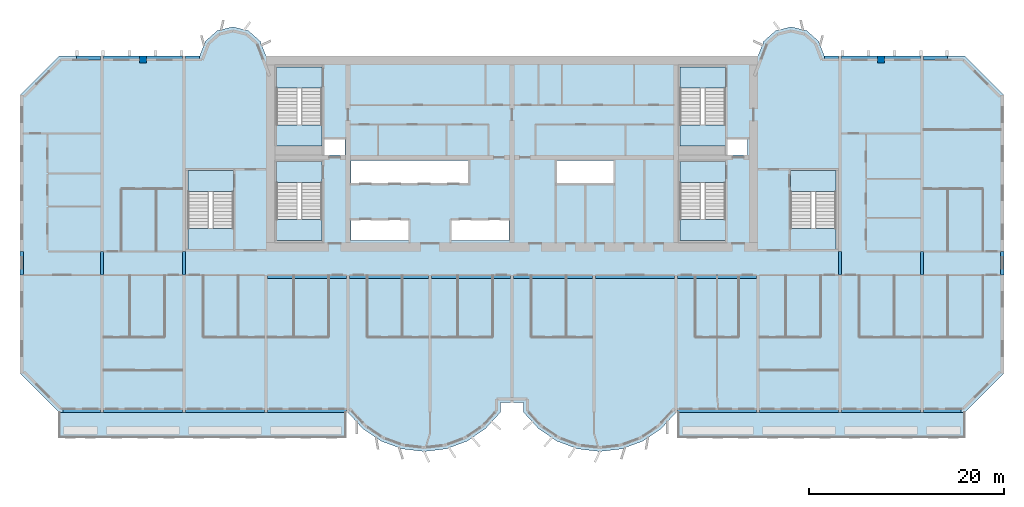
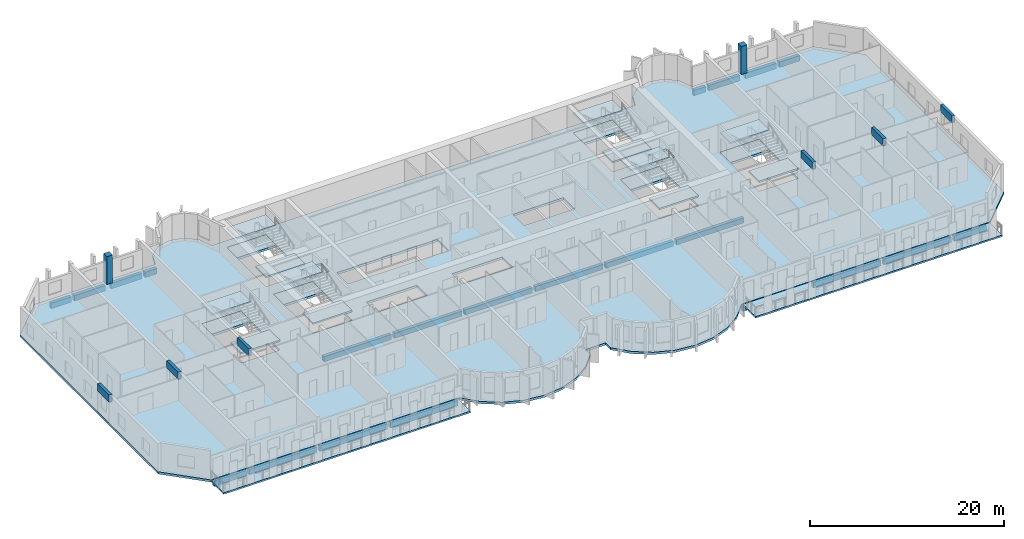
# One storey, part 1 of 14: 28 beams, 21 slabs, 2 columns, 6 elements without a shape of their own.
"""IFC4 building model written with IfcOpenShell, lengths in metres."""

from ifc_helpers import new_model, si_unit, direction, frame, origin, origin_2d, place, context, subcontext, project, spatial, polyline, rectangle, outline, extrude, source, transform, mapped, material, layer, layer_set, material_profile, profile_set, type_object, element, aggregate, save


model = new_model("IFC4")

# Units and contexts
model_context = context("Model", 3, precision=1e-05, world=origin(), true_north=direction((0.0, 1.0)))
body_context = subcontext(model_context, "Body", "Model", "MODEL_VIEW")
ifc_project = project(units=[si_unit("LENGTHUNIT", "METRE"), si_unit("AREAUNIT", "SQUARE_METRE"), si_unit("VOLUMEUNIT", "CUBIC_METRE"), si_unit("PLANEANGLEUNIT", "RADIAN"), si_unit("MASSUNIT", "GRAM", prefix="KILO")], contexts=[model_context])

# Site, building, storey
site_placement = place(None, origin())
site = spatial("IfcSite", under=ifc_project, at=site_placement, CompositionType="ELEMENT")
building_placement = place(site_placement, origin())
building = spatial("IfcBuilding", under=site, at=building_placement, Name="Vanashikhar Sky Hotel", CompositionType="ELEMENT")
storey_placement = place(building_placement, frame((0.0, 0.0, 118.0)))
storey = spatial("IfcBuildingStorey", under=building, at=storey_placement, Name="L28", CompositionType="ELEMENT", Elevation=118.0)

# Columns
ifc_material_1 = material(Name="Concrete M60", Category="concrete")
ifc_material_profile_1 = material_profile(ifc_material_1, rectangle(XDim=0.699951171875, YDim=0.699951171875, at=origin_2d()))
ifc_profile_set_1 = profile_set([ifc_material_profile_1], Name="RC 700x700 column Concrete M60")
column_type = type_object("IfcColumnType", Name="RC 700x700 column Concrete M60", PredefinedType="COLUMN", material=ifc_profile_set_1)
shared_shape_1 = source(origin(), body_context, "Body", "SweptSolid", [
    extrude(rectangle(XDim=0.699951171875, YDim=0.699951171875, at=origin_2d()), origin(), (0.0, 0.0, 1.0), 3.52001953125),
])
for number, where, z_axis, x_axis, name in (
    (1, (12.60009765625, 41.64990234375, 0.0), (0.0, 0.0, 1.0), (1.0, 0.0, 0.0), "CL-L28-CR02"),
    (2, (88.199951171875, 41.64990234375, 0.0), (0.0, 0.0, 1.0), (1.0, 0.0, 0.0), "CL-L28-CR11"),
):
    element("IfcColumn", number, at=place(storey_placement, frame(where, z_axis=z_axis, x_axis=x_axis)), inside=storey, type_object=column_type, Name=name, PredefinedType="COLUMN", context=body_context, shape_type="MappedRepresentation", body=[
        mapped(shared_shape_1, transform((0.0, 0.0, 0.0), scale=1.0)),
    ])

# Beams
ifc_material_2 = material(Name="Concrete M50", Category="concrete")
ifc_material_profile_2 = material_profile(ifc_material_2, rectangle(XDim=0.35009765625, YDim=0.89990234375, at=origin_2d()))
ifc_profile_set_2 = profile_set([ifc_material_profile_2], Name="RC 350x900 beam Concrete M50")
beam_type_1 = type_object("IfcBeamType", Name="RC 350x900 beam Concrete M50", PredefinedType="LINTEL", material=ifc_profile_set_2)
shared_shape_2 = source(origin(), body_context, "Body", "SweptSolid", [
    extrude(rectangle(XDim=0.35009765625, YDim=0.89990234375, at=origin_2d()), origin(), (0.0, 0.0, 1.0), 2.39990234375),
])
for number, where, z_axis, x_axis, name in (
    (3, (0.175048828125, 19.60009765625, 3.070068359375), (0.0, 1.0, 0.0), (-1.0, 0.0, 0.0), "LB-L28-XW01"),
    (4, (8.39990234375, 19.60009765625, 3.070068359375), (0.0, 1.0, 0.0), (-1.0, 0.0, 0.0), "LB-L28-XW02"),
    (5, (16.800048828125, 19.60009765625, 3.070068359375), (0.0, 1.0, 0.0), (-1.0, 0.0, 0.0), "LB-L28-XW03"),
    (6, (84.0, 19.60009765625, 3.070068359375), (0.0, 1.0, 0.0), (-1.0, 0.0, 0.0), "LB-L28-XW11"),
    (7, (92.39990234375, 19.60009765625, 3.070068359375), (0.0, 1.0, 0.0), (-1.0, 0.0, 0.0), "LB-L28-XW12"),
    (8, (100.625, 19.60009765625, 3.070068359375), (0.0, 1.0, 0.0), (-1.0, 0.0, 0.0), "LB-L28-XW13"),
):
    element("IfcBeam", number, at=place(storey_placement, frame(where, z_axis=z_axis, x_axis=x_axis)), inside=storey, type_object=beam_type_1, Name=name, PredefinedType="LINTEL", context=body_context, shape_type="MappedRepresentation", body=[
        mapped(shared_shape_2, transform((0.0, 0.0, 0.0), scale=1.0)),
    ])
ifc_material_profile_3 = material_profile(ifc_material_2, rectangle(XDim=0.39990234375, YDim=0.699951171875, at=origin_2d()))
ifc_profile_set_3 = profile_set([ifc_material_profile_3], Name="RC 400x700 beam Concrete M50")
beam_type_2 = type_object("IfcBeamType", Name="RC 400x700 beam Concrete M50", PredefinedType="SPANDREL", material=ifc_profile_set_3)
shared_shape_3 = source(origin(), body_context, "Body", "SweptSolid", [
    extrude(rectangle(XDim=0.39990234375, YDim=0.699951171875, at=origin_2d()), origin(), (0.0, 0.0, 1.0), 8.050048828125),
])
for number, where, z_axis, x_axis, name in (
    (9, (8.574951171875, 5.699951171875, -0.6298828125), (1.0, 0.0, 0.0), (0.0, 1.0, 0.0), "EB-L28-F01"),
    (10, (25.375, 5.699951171875, -0.6298828125), (1.0, 0.0, 0.0), (0.0, 1.0, 0.0), "EB-L28-F03"),
    (11, (67.375, 5.699951171875, -0.6298828125), (1.0, 0.0, 0.0), (0.0, 1.0, 0.0), "EB-L28-F05"),
    (12, (75.77490234375, 5.699951171875, -0.6298828125), (1.0, 0.0, 0.0), (0.0, 1.0, 0.0), "EB-L28-F06"),
    (13, (84.175048828125, 5.699951171875, -0.6298828125), (1.0, 0.0, 0.0), (0.0, 1.0, 0.0), "EB-L28-F07"),
):
    element("IfcBeam", number, at=place(storey_placement, frame(where, z_axis=z_axis, x_axis=x_axis)), inside=storey, type_object=beam_type_2, Name=name, PredefinedType="SPANDREL", context=body_context, shape_type="MappedRepresentation", body=[
        mapped(shared_shape_3, transform((0.0, 0.0, 0.0), scale=1.0)),
    ])
shared_shape_4 = source(origin(), body_context, "Body", "SweptSolid", [
    extrude(rectangle(XDim=0.39990234375, YDim=0.699951171875, at=origin_2d()), origin(), (0.0, 0.0, 1.0), 8.0498046875),
])
beam_1_placement = place(storey_placement, frame((16.97509765625, 5.699951171875, -0.6298828125), z_axis=(1.0, 0.0, 0.0), x_axis=(0.0, 1.0, 0.0)))
element("IfcBeam", 14, at=beam_1_placement, inside=storey, type_object=beam_type_2, Name="EB-L28-F02", PredefinedType="SPANDREL", context=body_context, shape_type="MappedRepresentation", body=[
    mapped(shared_shape_4, transform((0.0, 0.0, 0.0), scale=1.0)),
])
ifc_material_profile_4 = material_profile(ifc_material_2, rectangle(XDim=0.39990234375, YDim=0.699951171875, at=origin_2d()))
ifc_profile_set_4 = profile_set([ifc_material_profile_4], Name="RC 400x700 cantilever beam Concrete M50")
beam_type_3 = type_object("IfcBeamType", Name="RC 400x700 cantilever beam Concrete M50", PredefinedType="SPANDREL", material=ifc_profile_set_4)
shared_shape_5 = source(origin(), body_context, "Body", "SweptSolid", [
    extrude(rectangle(XDim=0.39990234375, YDim=0.699951171875, at=origin_2d()), origin(), (0.0, 0.0, 1.0), 3.8251953125),
])
beam_2_placement = place(storey_placement, frame((4.39990234375, 5.699951171875, -0.6298828125), z_axis=(1.0, 0.0, 0.0), x_axis=(0.0, 1.0, 0.0)))
element("IfcBeam", 15, at=beam_2_placement, inside=storey, type_object=beam_type_3, Name="EB-L28-F04", PredefinedType="SPANDREL", context=body_context, shape_type="MappedRepresentation", body=[
    mapped(shared_shape_5, transform((0.0, 0.0, 0.0), scale=1.0)),
])
shared_shape_6 = source(origin(), body_context, "Body", "SweptSolid", [
    extrude(rectangle(XDim=0.39990234375, YDim=0.699951171875, at=origin_2d()), origin(), (0.0, 0.0, 1.0), 3.824951171875),
])
beam_3_placement = place(storey_placement, frame((92.574951171875, 5.699951171875, -0.6298828125), z_axis=(1.0, 0.0, 0.0), x_axis=(0.0, 1.0, 0.0)))
element("IfcBeam", 16, at=beam_3_placement, inside=storey, type_object=beam_type_3, Name="EB-L28-F08", PredefinedType="SPANDREL", context=body_context, shape_type="MappedRepresentation", body=[
    mapped(shared_shape_6, transform((0.0, 0.0, 0.0), scale=1.0)),
])
shared_shape_7 = source(origin(), body_context, "Body", "SweptSolid", [
    extrude(rectangle(XDim=0.39990234375, YDim=0.699951171875, at=origin_2d()), origin(), (0.0, 0.0, 1.0), 3.675048828125),
])
for number, where, z_axis, x_axis, name in (
    (17, (8.574951171875, 41.800048828125, -0.6298828125), (1.0, 0.0, 0.0), (0.0, 1.0, 0.0), "EB-L28-R01"),
    (18, (12.949951171875, 41.800048828125, -0.6298828125), (1.0, 0.0, 0.0), (0.0, 1.0, 0.0), "EB-L28-R02"),
    (19, (84.175048828125, 41.800048828125, -0.6298828125), (1.0, 0.0, 0.0), (0.0, 1.0, 0.0), "EB-L28-R05"),
    (20, (88.550048828125, 41.800048828125, -0.6298828125), (1.0, 0.0, 0.0), (0.0, 1.0, 0.0), "EB-L28-R06"),
):
    element("IfcBeam", number, at=place(storey_placement, frame(where, z_axis=z_axis, x_axis=x_axis)), inside=storey, type_object=beam_type_2, Name=name, PredefinedType="SPANDREL", context=body_context, shape_type="MappedRepresentation", body=[
        mapped(shared_shape_7, transform((0.0, 0.0, 0.0), scale=1.0)),
    ])
shared_shape_8 = source(origin(), body_context, "Body", "SweptSolid", [
    extrude(rectangle(XDim=0.39990234375, YDim=0.699951171875, at=origin_2d()), origin(), (0.0, 0.0, 1.0), 2.43017578125),
])
beam_4_placement = place(storey_placement, frame((5.794921875, 41.800048828125, -0.6298828125), z_axis=(1.0, 0.0, 0.0), x_axis=(0.0, 1.0, 0.0)))
element("IfcBeam", 21, at=beam_4_placement, inside=storey, type_object=beam_type_3, Name="EB-L28-R03", PredefinedType="SPANDREL", context=body_context, shape_type="MappedRepresentation", body=[
    mapped(shared_shape_8, transform((0.0, 0.0, 0.0), scale=1.0)),
])
shared_shape_9 = source(origin(), body_context, "Body", "SweptSolid", [
    extrude(rectangle(XDim=0.39990234375, YDim=0.699951171875, at=origin_2d()), origin(), (0.0, 0.0, 1.0), 1.4248046875),
])
beam_5_placement = place(storey_placement, frame((16.97509765625, 41.800048828125, -0.6298828125), z_axis=(1.0, 0.0, 0.0), x_axis=(0.0, 1.0, 0.0)))
element("IfcBeam", 22, at=beam_5_placement, inside=storey, type_object=beam_type_3, Name="EB-L28-R04", PredefinedType="SPANDREL", context=body_context, shape_type="MappedRepresentation", body=[
    mapped(shared_shape_9, transform((0.0, 0.0, 0.0), scale=1.0)),
])
shared_shape_10 = source(origin(), body_context, "Body", "SweptSolid", [
    extrude(rectangle(XDim=0.39990234375, YDim=0.699951171875, at=origin_2d()), origin(), (0.0, 0.0, 1.0), 1.425048828125),
])
beam_6_placement = place(storey_placement, frame((82.39990234375, 41.800048828125, -0.6298828125), z_axis=(1.0, 0.0, 0.0), x_axis=(0.0, 1.0, 0.0)))
element("IfcBeam", 23, at=beam_6_placement, inside=storey, type_object=beam_type_3, Name="EB-L28-R07", PredefinedType="SPANDREL", context=body_context, shape_type="MappedRepresentation", body=[
    mapped(shared_shape_10, transform((0.0, 0.0, 0.0), scale=1.0)),
])
shared_shape_11 = source(origin(), body_context, "Body", "SweptSolid", [
    extrude(rectangle(XDim=0.39990234375, YDim=0.699951171875, at=origin_2d()), origin(), (0.0, 0.0, 1.0), 2.429931640625),
])
beam_7_placement = place(storey_placement, frame((92.574951171875, 41.800048828125, -0.6298828125), z_axis=(1.0, 0.0, 0.0), x_axis=(0.0, 1.0, 0.0)))
element("IfcBeam", 24, at=beam_7_placement, inside=storey, type_object=beam_type_3, Name="EB-L28-R08", PredefinedType="SPANDREL", context=body_context, shape_type="MappedRepresentation", body=[
    mapped(shared_shape_11, transform((0.0, 0.0, 0.0), scale=1.0)),
])
ifc_material_profile_5 = material_profile(ifc_material_2, rectangle(XDim=0.39990234375, YDim=0.64990234375, at=origin_2d()))
ifc_profile_set_5 = profile_set([ifc_material_profile_5], Name="RC 400x650 beam Concrete M50")
beam_type_4 = type_object("IfcBeamType", Name="RC 400x650 beam Concrete M50", PredefinedType="BEAM", material=ifc_profile_set_5)
shared_shape_12 = source(origin(), body_context, "Body", "SweptSolid", [
    extrude(rectangle(XDim=0.39990234375, YDim=0.64990234375, at=origin_2d()), origin(), (0.0, 0.0, 1.0), 8.050048828125),
])
for number, where, z_axis, x_axis, name in (
    (25, (25.375, 19.39990234375, -0.60498046875), (1.0, 0.0, 0.0), (0.0, 1.0, 0.0), "CB-L28-01"),
    (26, (33.77490234375, 19.39990234375, -0.60498046875), (1.0, 0.0, 0.0), (0.0, 1.0, 0.0), "CB-L28-02"),
    (27, (42.175048828125, 19.39990234375, -0.60498046875), (1.0, 0.0, 0.0), (0.0, 1.0, 0.0), "CB-L28-03"),
    (28, (50.574951171875, 19.39990234375, -0.60498046875), (1.0, 0.0, 0.0), (0.0, 1.0, 0.0), "CB-L28-04"),
    (29, (67.375, 19.39990234375, -0.60498046875), (1.0, 0.0, 0.0), (0.0, 1.0, 0.0), "CB-L28-06"),
):
    element("IfcBeam", number, at=place(storey_placement, frame(where, z_axis=z_axis, x_axis=x_axis)), inside=storey, type_object=beam_type_4, Name=name, PredefinedType="BEAM", context=body_context, shape_type="MappedRepresentation", body=[
        mapped(shared_shape_12, transform((0.0, 0.0, 0.0), scale=1.0)),
    ])
shared_shape_13 = source(origin(), body_context, "Body", "SweptSolid", [
    extrude(rectangle(XDim=0.39990234375, YDim=0.64990234375, at=origin_2d()), origin(), (0.0, 0.0, 1.0), 8.0498046875),
])
beam_8_placement = place(storey_placement, frame((58.97509765625, 19.39990234375, -0.60498046875), z_axis=(1.0, 0.0, 0.0), x_axis=(0.0, 1.0, 0.0)))
element("IfcBeam", 30, at=beam_8_placement, inside=storey, type_object=beam_type_4, Name="CB-L28-05", PredefinedType="BEAM", context=body_context, shape_type="MappedRepresentation", body=[
    mapped(shared_shape_13, transform((0.0, 0.0, 0.0), scale=1.0)),
])

# Slabs
ifc_material_3 = material(Name="Concrete M40", Category="concrete")
ifc_layer_1 = layer(ifc_material_3, 0.280029296875)
ifc_layer_set_1 = layer_set([ifc_layer_1], Name="Floor slab 280 mm")
slab_type_1 = type_object("IfcSlabType", Name="Floor slab 280 mm", PredefinedType="FLOOR", material=ifc_layer_set_1)
shared_shape_14 = source(origin(), body_context, "Body", "SweptSolid", [
    extrude(outline(polyline([(49.199951171875, 5.5), (49.199951171875, 6.5), (51.60009765625, 6.5), (51.60009765625, 5.5), (53.133056640625, 3.825927734375), (55.01708984375, 2.55810546875), (57.14599609375, 1.76806640625), (59.39990234375, 1.5), (61.654052734375, 1.76806640625), (63.782958984375, 2.55810546875), (65.6669921875, 3.825927734375), (67.199951171875, 5.5), (96.800048828125, 5.5), (100.800048828125, 9.5), (100.800048828125, 38.0), (96.800048828125, 42.0), (82.39990234375, 42.0), (81.81494140625, 43.527099609375), (80.587890625, 44.610107421875), (79.0, 45.0), (77.412109375, 44.610107421875), (76.18505859375, 43.527099609375), (75.60009765625, 42.0), (25.199951171875, 42.0), (24.614990234375, 43.527099609375), (23.387939453125, 44.610107421875), (21.800048828125, 45.0), (20.2119140625, 44.610107421875), (18.985107421875, 43.527099609375), (18.39990234375, 42.0), (4.0, 42.0), (0.0, 38.0), (0.0, 9.5), (4.0, 5.5), (33.60009765625, 5.5), (35.133056640625, 3.825927734375), (37.01708984375, 2.55810546875), (39.14599609375, 1.76806640625), (41.39990234375, 1.5), (43.654052734375, 1.76806640625), (45.782958984375, 2.55810546875), (47.6669921875, 3.825927734375), (49.199951171875, 5.5)]), holes=[polyline([(33.300048828125, 33.60009765625), (31.050048828125, 33.60009765625), (31.050048828125, 31.89990234375), (33.300048828125, 31.89990234375), (33.300048828125, 33.60009765625)]), polyline([(33.89990234375, 25.199951171875), (33.89990234375, 23.10009765625), (39.89990234375, 23.10009765625), (39.89990234375, 25.199951171875), (33.89990234375, 25.199951171875)]), polyline([(33.89990234375, 31.300048828125), (33.89990234375, 29.0), (45.89990234375, 29.0), (45.89990234375, 31.300048828125), (33.89990234375, 31.300048828125)]), polyline([(44.10009765625, 25.199951171875), (44.10009765625, 23.10009765625), (50.10009765625, 23.10009765625), (50.10009765625, 25.199951171875), (44.10009765625, 25.199951171875)]), polyline([(54.89990234375, 31.300048828125), (54.89990234375, 29.0), (60.89990234375, 29.0), (60.89990234375, 31.300048828125), (54.89990234375, 31.300048828125)]), polyline([(74.5, 33.60009765625), (72.35009765625, 33.60009765625), (72.35009765625, 31.89990234375), (74.5, 31.89990234375), (74.5, 33.60009765625)]), polyline([(30.949951171875, 23.10009765625), (30.949951171875, 31.199951171875), (26.300048828125, 31.199951171875), (26.300048828125, 23.10009765625), (30.949951171875, 23.10009765625)]), polyline([(72.25, 23.10009765625), (72.25, 31.199951171875), (67.60009765625, 31.199951171875), (67.60009765625, 23.10009765625), (72.25, 23.10009765625)]), polyline([(30.949951171875, 32.800048828125), (30.949951171875, 40.89990234375), (26.300048828125, 40.89990234375), (26.300048828125, 32.800048828125), (30.949951171875, 32.800048828125)]), polyline([(72.25, 32.800048828125), (72.25, 40.89990234375), (67.60009765625, 40.89990234375), (67.60009765625, 32.800048828125), (72.25, 32.800048828125)]), polyline([(83.60009765625, 22.199951171875), (83.60009765625, 30.300048828125), (78.949951171875, 30.300048828125), (78.949951171875, 22.199951171875), (83.60009765625, 22.199951171875)]), polyline([(21.85009765625, 22.199951171875), (21.85009765625, 30.300048828125), (17.199951171875, 30.300048828125), (17.199951171875, 22.199951171875), (21.85009765625, 22.199951171875)])]), origin(), (0.0, 0.0, 1.0), 0.280029296875),
])
slab_1_placement = place(storey_placement, frame((0.0, 0.0, -0.280029296875)))
element("IfcSlab", 31, at=slab_1_placement, inside=storey, type_object=slab_type_1, Name="Floor slab L28", PredefinedType="FLOOR", context=body_context, shape_type="MappedRepresentation", body=[
    mapped(shared_shape_14, transform((0.0, 0.0, 0.0), scale=1.0)),
])
ifc_layer_2 = layer(ifc_material_3, 0.199951171875)
ifc_layer_set_2 = layer_set([ifc_layer_2], Name="Balcony slab 200 mm")
slab_type_2 = type_object("IfcSlabType", Name="Balcony slab 200 mm", PredefinedType="USERDEFINED", material=ifc_layer_set_2)
shared_shape_15 = source(origin(), body_context, "Body", "SweptSolid", [
    extrude(outline(polyline([(4.0, 2.89990234375), (33.39990234375, 2.89990234375), (33.39990234375, 5.5), (4.0, 5.5), (4.0, 2.89990234375)])), origin(), (0.0, 0.0, 1.0), 0.199951171875),
])
slab_2_placement = place(storey_placement, frame((0.0, 0.0, -0.25)))
element("IfcSlab", 32, at=slab_2_placement, inside=storey, type_object=slab_type_2, Name="Balcony slab L28 1", ObjectType="BALCONY", PredefinedType="USERDEFINED", context=body_context, shape_type="MappedRepresentation", body=[
    mapped(shared_shape_15, transform((0.0, 0.0, 0.0), scale=1.0)),
])
shared_shape_16 = source(origin(), body_context, "Body", "SweptSolid", [
    extrude(outline(polyline([(67.39990234375, 2.89990234375), (96.800048828125, 2.89990234375), (96.800048828125, 5.5), (67.39990234375, 5.5), (67.39990234375, 2.89990234375)])), origin(), (0.0, 0.0, 1.0), 0.199951171875),
])
slab_3_placement = place(storey_placement, frame((0.0, 0.0, -0.25)))
element("IfcSlab", 33, at=slab_3_placement, inside=storey, type_object=slab_type_2, Name="Balcony slab L28 2", ObjectType="BALCONY", PredefinedType="USERDEFINED", context=body_context, shape_type="MappedRepresentation", body=[
    mapped(shared_shape_16, transform((0.0, 0.0, 0.0), scale=1.0)),
])

# Stair, slabs
stair_type = type_object("IfcStairType", Name="Exit stair 2150", PredefinedType="DOUBLE_RETURN_STAIR", material=ifc_material_3)
stair_1_placement = place(storey_placement, origin())
stair_1 = element("IfcStair", 34, at=stair_1_placement, inside=storey, type_object=stair_type, Name="L28 Exit stair 1", PredefinedType="DOUBLE_RETURN_STAIR")
ifc_layer_3 = layer(ifc_material_3, 0.199951171875)
ifc_layer_set_3 = layer_set([ifc_layer_3], Name="Stair landing 200")
slab_type_3 = type_object("IfcSlabType", Name="Stair landing 200", PredefinedType="LANDING", material=ifc_layer_set_3)
shared_shape_17 = source(origin(), body_context, "Body", "SweptSolid", [
    extrude(outline(polyline([(30.949951171875, 23.10009765625), (30.949951171875, 25.25), (26.300048828125, 25.25), (26.300048828125, 23.10009765625), (30.949951171875, 23.10009765625)])), origin(), (0.0, 0.0, 1.0), 0.199951171875),
])
slab_4_placement = place(storey_placement, frame((0.0, 0.0, 1.066650390625)))
slab_4 = element("IfcSlab", 35, at=slab_4_placement, type_object=slab_type_3, Name="ST-C1 landing 1", PredefinedType="LANDING", context=body_context, shape_type="MappedRepresentation", body=[
    mapped(shared_shape_17, transform((0.0, 0.0, 0.0), scale=1.0)),
])
shared_shape_18 = source(origin(), body_context, "Body", "SweptSolid", [
    extrude(outline(polyline([(30.949951171875, 29.050048828125), (30.949951171875, 31.199951171875), (26.300048828125, 31.199951171875), (26.300048828125, 29.050048828125), (30.949951171875, 29.050048828125)])), origin(), (0.0, 0.0, 1.0), 0.2001953125),
])
slab_5_placement = place(storey_placement, frame((0.0, 0.0, 2.333251953125)))
slab_5 = element("IfcSlab", 36, at=slab_5_placement, type_object=slab_type_3, Name="ST-C1 landing 2", PredefinedType="LANDING", context=body_context, shape_type="MappedRepresentation", body=[
    mapped(shared_shape_18, transform((0.0, 0.0, 0.0), scale=1.0)),
])
aggregate(stair_1, [slab_4, slab_5])

# Slab
ifc_layer_4 = layer(ifc_material_3, 0.280029296875)
ifc_layer_set_4 = layer_set([ifc_layer_4], Name="Stair floor landing 280")
slab_type_4 = type_object("IfcSlabType", Name="Stair floor landing 280", PredefinedType="LANDING", material=ifc_layer_set_4)
shared_shape_19 = source(origin(), body_context, "Body", "SweptSolid", [
    extrude(outline(polyline([(30.949951171875, 29.050048828125), (30.949951171875, 31.199951171875), (26.300048828125, 31.199951171875), (26.300048828125, 29.050048828125), (30.949951171875, 29.050048828125)])), origin(), (0.0, 0.0, 1.0), 0.280029296875),
])
slab_6_placement = place(storey_placement, frame((0.0, 0.0, -0.280029296875)))
element("IfcSlab", 37, at=slab_6_placement, inside=storey, type_object=slab_type_4, Name="Exit stair 1 floor landing", PredefinedType="LANDING", context=body_context, shape_type="MappedRepresentation", body=[
    mapped(shared_shape_19, transform((0.0, 0.0, 0.0), scale=1.0)),
])

# Stair, slabs
stair_2_placement = place(storey_placement, origin())
stair_2 = element("IfcStair", 38, at=stair_2_placement, inside=storey, type_object=stair_type, Name="L28 Exit stair 2", PredefinedType="DOUBLE_RETURN_STAIR")
shared_shape_20 = source(origin(), body_context, "Body", "SweptSolid", [
    extrude(outline(polyline([(72.25, 23.10009765625), (72.25, 25.25), (67.60009765625, 25.25), (67.60009765625, 23.10009765625), (72.25, 23.10009765625)])), origin(), (0.0, 0.0, 1.0), 0.199951171875),
])
slab_7_placement = place(storey_placement, frame((0.0, 0.0, 1.066650390625)))
slab_7 = element("IfcSlab", 39, at=slab_7_placement, type_object=slab_type_3, Name="ST-C2 landing 1", PredefinedType="LANDING", context=body_context, shape_type="MappedRepresentation", body=[
    mapped(shared_shape_20, transform((0.0, 0.0, 0.0), scale=1.0)),
])
shared_shape_21 = source(origin(), body_context, "Body", "SweptSolid", [
    extrude(outline(polyline([(72.25, 29.050048828125), (72.25, 31.199951171875), (67.60009765625, 31.199951171875), (67.60009765625, 29.050048828125), (72.25, 29.050048828125)])), origin(), (0.0, 0.0, 1.0), 0.2001953125),
])
slab_8_placement = place(storey_placement, frame((0.0, 0.0, 2.333251953125)))
slab_8 = element("IfcSlab", 40, at=slab_8_placement, type_object=slab_type_3, Name="ST-C2 landing 2", PredefinedType="LANDING", context=body_context, shape_type="MappedRepresentation", body=[
    mapped(shared_shape_21, transform((0.0, 0.0, 0.0), scale=1.0)),
])
aggregate(stair_2, [slab_7, slab_8])

# Slab
shared_shape_22 = source(origin(), body_context, "Body", "SweptSolid", [
    extrude(outline(polyline([(72.25, 29.050048828125), (72.25, 31.199951171875), (67.60009765625, 31.199951171875), (67.60009765625, 29.050048828125), (72.25, 29.050048828125)])), origin(), (0.0, 0.0, 1.0), 0.280029296875),
])
slab_9_placement = place(storey_placement, frame((0.0, 0.0, -0.280029296875)))
element("IfcSlab", 41, at=slab_9_placement, inside=storey, type_object=slab_type_4, Name="Exit stair 2 floor landing", PredefinedType="LANDING", context=body_context, shape_type="MappedRepresentation", body=[
    mapped(shared_shape_22, transform((0.0, 0.0, 0.0), scale=1.0)),
])

# Stair, slabs
stair_3_placement = place(storey_placement, origin())
stair_3 = element("IfcStair", 42, at=stair_3_placement, inside=storey, type_object=stair_type, Name="L28 Exit stair 3", PredefinedType="DOUBLE_RETURN_STAIR")
shared_shape_23 = source(origin(), body_context, "Body", "SweptSolid", [
    extrude(outline(polyline([(21.85009765625, 22.199951171875), (21.85009765625, 24.35009765625), (17.199951171875, 24.35009765625), (17.199951171875, 22.199951171875), (21.85009765625, 22.199951171875)])), origin(), (0.0, 0.0, 1.0), 0.199951171875),
])
slab_10_placement = place(storey_placement, frame((0.0, 0.0, 1.066650390625)))
slab_10 = element("IfcSlab", 43, at=slab_10_placement, type_object=slab_type_3, Name="ST-W landing 1", PredefinedType="LANDING", context=body_context, shape_type="MappedRepresentation", body=[
    mapped(shared_shape_23, transform((0.0, 0.0, 0.0), scale=1.0)),
])
shared_shape_24 = source(origin(), body_context, "Body", "SweptSolid", [
    extrude(outline(polyline([(21.85009765625, 28.14990234375), (21.85009765625, 30.300048828125), (17.199951171875, 30.300048828125), (17.199951171875, 28.14990234375), (21.85009765625, 28.14990234375)])), origin(), (0.0, 0.0, 1.0), 0.2001953125),
])
slab_11_placement = place(storey_placement, frame((0.0, 0.0, 2.333251953125)))
slab_11 = element("IfcSlab", 44, at=slab_11_placement, type_object=slab_type_3, Name="ST-W landing 2", PredefinedType="LANDING", context=body_context, shape_type="MappedRepresentation", body=[
    mapped(shared_shape_24, transform((0.0, 0.0, 0.0), scale=1.0)),
])
aggregate(stair_3, [slab_10, slab_11])

# Slab
shared_shape_25 = source(origin(), body_context, "Body", "SweptSolid", [
    extrude(outline(polyline([(21.85009765625, 28.14990234375), (21.85009765625, 30.300048828125), (17.199951171875, 30.300048828125), (17.199951171875, 28.14990234375), (21.85009765625, 28.14990234375)])), origin(), (0.0, 0.0, 1.0), 0.280029296875),
])
slab_12_placement = place(storey_placement, frame((0.0, 0.0, -0.280029296875)))
element("IfcSlab", 45, at=slab_12_placement, inside=storey, type_object=slab_type_4, Name="Exit stair 3 floor landing", PredefinedType="LANDING", context=body_context, shape_type="MappedRepresentation", body=[
    mapped(shared_shape_25, transform((0.0, 0.0, 0.0), scale=1.0)),
])

# Stair, slabs
stair_4_placement = place(storey_placement, origin())
stair_4 = element("IfcStair", 46, at=stair_4_placement, inside=storey, type_object=stair_type, Name="L28 Exit stair 4", PredefinedType="DOUBLE_RETURN_STAIR")
shared_shape_26 = source(origin(), body_context, "Body", "SweptSolid", [
    extrude(outline(polyline([(83.60009765625, 22.199951171875), (83.60009765625, 24.35009765625), (78.949951171875, 24.35009765625), (78.949951171875, 22.199951171875), (83.60009765625, 22.199951171875)])), origin(), (0.0, 0.0, 1.0), 0.199951171875),
])
slab_13_placement = place(storey_placement, frame((0.0, 0.0, 1.066650390625)))
slab_13 = element("IfcSlab", 47, at=slab_13_placement, type_object=slab_type_3, Name="ST-E landing 1", PredefinedType="LANDING", context=body_context, shape_type="MappedRepresentation", body=[
    mapped(shared_shape_26, transform((0.0, 0.0, 0.0), scale=1.0)),
])
shared_shape_27 = source(origin(), body_context, "Body", "SweptSolid", [
    extrude(outline(polyline([(83.60009765625, 28.14990234375), (83.60009765625, 30.300048828125), (78.949951171875, 30.300048828125), (78.949951171875, 28.14990234375), (83.60009765625, 28.14990234375)])), origin(), (0.0, 0.0, 1.0), 0.2001953125),
])
slab_14_placement = place(storey_placement, frame((0.0, 0.0, 2.333251953125)))
slab_14 = element("IfcSlab", 48, at=slab_14_placement, type_object=slab_type_3, Name="ST-E landing 2", PredefinedType="LANDING", context=body_context, shape_type="MappedRepresentation", body=[
    mapped(shared_shape_27, transform((0.0, 0.0, 0.0), scale=1.0)),
])
aggregate(stair_4, [slab_13, slab_14])

# Slab
shared_shape_28 = source(origin(), body_context, "Body", "SweptSolid", [
    extrude(outline(polyline([(83.60009765625, 28.14990234375), (83.60009765625, 30.300048828125), (78.949951171875, 30.300048828125), (78.949951171875, 28.14990234375), (83.60009765625, 28.14990234375)])), origin(), (0.0, 0.0, 1.0), 0.280029296875),
])
slab_15_placement = place(storey_placement, frame((0.0, 0.0, -0.280029296875)))
element("IfcSlab", 49, at=slab_15_placement, inside=storey, type_object=slab_type_4, Name="Exit stair 4 floor landing", PredefinedType="LANDING", context=body_context, shape_type="MappedRepresentation", body=[
    mapped(shared_shape_28, transform((0.0, 0.0, 0.0), scale=1.0)),
])

# Stair, slabs
stair_5_placement = place(storey_placement, origin())
stair_5 = element("IfcStair", 50, at=stair_5_placement, inside=storey, type_object=stair_type, Name="L28 Exit stair 5", PredefinedType="DOUBLE_RETURN_STAIR")
shared_shape_29 = source(origin(), body_context, "Body", "SweptSolid", [
    extrude(outline(polyline([(30.949951171875, 32.800048828125), (30.949951171875, 34.949951171875), (26.300048828125, 34.949951171875), (26.300048828125, 32.800048828125), (30.949951171875, 32.800048828125)])), origin(), (0.0, 0.0, 1.0), 0.199951171875),
])
slab_16_placement = place(storey_placement, frame((0.0, 0.0, 1.066650390625)))
slab_16 = element("IfcSlab", 51, at=slab_16_placement, type_object=slab_type_3, Name="ST-C3 landing 1", PredefinedType="LANDING", context=body_context, shape_type="MappedRepresentation", body=[
    mapped(shared_shape_29, transform((0.0, 0.0, 0.0), scale=1.0)),
])
shared_shape_30 = source(origin(), body_context, "Body", "SweptSolid", [
    extrude(outline(polyline([(30.949951171875, 38.75), (30.949951171875, 40.89990234375), (26.300048828125, 40.89990234375), (26.300048828125, 38.75), (30.949951171875, 38.75)])), origin(), (0.0, 0.0, 1.0), 0.2001953125),
])
slab_17_placement = place(storey_placement, frame((0.0, 0.0, 2.333251953125)))
slab_17 = element("IfcSlab", 52, at=slab_17_placement, type_object=slab_type_3, Name="ST-C3 landing 2", PredefinedType="LANDING", context=body_context, shape_type="MappedRepresentation", body=[
    mapped(shared_shape_30, transform((0.0, 0.0, 0.0), scale=1.0)),
])
aggregate(stair_5, [slab_16, slab_17])

# Slab
shared_shape_31 = source(origin(), body_context, "Body", "SweptSolid", [
    extrude(outline(polyline([(30.949951171875, 38.75), (30.949951171875, 40.89990234375), (26.300048828125, 40.89990234375), (26.300048828125, 38.75), (30.949951171875, 38.75)])), origin(), (0.0, 0.0, 1.0), 0.280029296875),
])
slab_18_placement = place(storey_placement, frame((0.0, 0.0, -0.280029296875)))
element("IfcSlab", 53, at=slab_18_placement, inside=storey, type_object=slab_type_4, Name="Exit stair 5 floor landing", PredefinedType="LANDING", context=body_context, shape_type="MappedRepresentation", body=[
    mapped(shared_shape_31, transform((0.0, 0.0, 0.0), scale=1.0)),
])

# Stair, slabs
stair_6_placement = place(storey_placement, origin())
stair_6 = element("IfcStair", 54, at=stair_6_placement, inside=storey, type_object=stair_type, Name="L28 Exit stair 6", PredefinedType="DOUBLE_RETURN_STAIR")
shared_shape_32 = source(origin(), body_context, "Body", "SweptSolid", [
    extrude(outline(polyline([(72.25, 32.800048828125), (72.25, 34.949951171875), (67.60009765625, 34.949951171875), (67.60009765625, 32.800048828125), (72.25, 32.800048828125)])), origin(), (0.0, 0.0, 1.0), 0.199951171875),
])
slab_19_placement = place(storey_placement, frame((0.0, 0.0, 1.066650390625)))
slab_19 = element("IfcSlab", 55, at=slab_19_placement, type_object=slab_type_3, Name="ST-C4 landing 1", PredefinedType="LANDING", context=body_context, shape_type="MappedRepresentation", body=[
    mapped(shared_shape_32, transform((0.0, 0.0, 0.0), scale=1.0)),
])
shared_shape_33 = source(origin(), body_context, "Body", "SweptSolid", [
    extrude(outline(polyline([(72.25, 38.75), (72.25, 40.89990234375), (67.60009765625, 40.89990234375), (67.60009765625, 38.75), (72.25, 38.75)])), origin(), (0.0, 0.0, 1.0), 0.2001953125),
])
slab_20_placement = place(storey_placement, frame((0.0, 0.0, 2.333251953125)))
slab_20 = element("IfcSlab", 56, at=slab_20_placement, type_object=slab_type_3, Name="ST-C4 landing 2", PredefinedType="LANDING", context=body_context, shape_type="MappedRepresentation", body=[
    mapped(shared_shape_33, transform((0.0, 0.0, 0.0), scale=1.0)),
])
aggregate(stair_6, [slab_19, slab_20])

# Slab
shared_shape_34 = source(origin(), body_context, "Body", "SweptSolid", [
    extrude(outline(polyline([(72.25, 38.75), (72.25, 40.89990234375), (67.60009765625, 40.89990234375), (67.60009765625, 38.75), (72.25, 38.75)])), origin(), (0.0, 0.0, 1.0), 0.280029296875),
])
slab_21_placement = place(storey_placement, frame((0.0, 0.0, -0.280029296875)))
element("IfcSlab", 57, at=slab_21_placement, inside=storey, type_object=slab_type_4, Name="Exit stair 6 floor landing", PredefinedType="LANDING", context=body_context, shape_type="MappedRepresentation", body=[
    mapped(shared_shape_34, transform((0.0, 0.0, 0.0), scale=1.0)),
])

save(model, "model.ifc")
